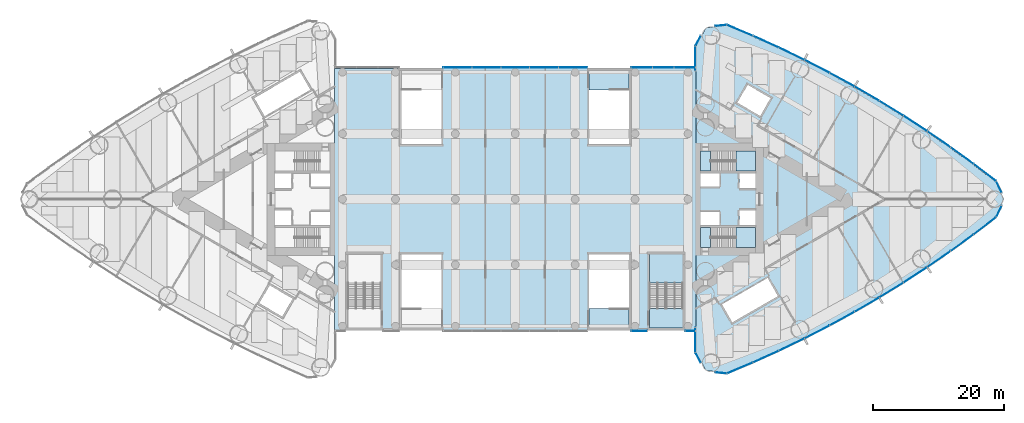
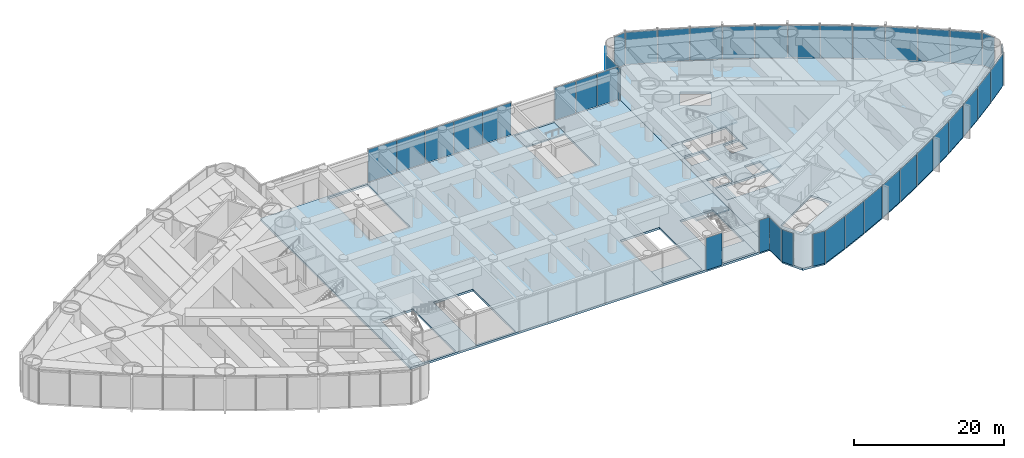
# One storey, part 13 of 20: 40 plates, 10 slabs, 11 elements without a shape of their own.
"""IFC4 building model written with IfcOpenShell, lengths in metres."""

from ifc_helpers import new_model, si_unit, direction, frame, origin, origin_2d, place, context, subcontext, project, spatial, polyline, rectangle, outline, extrude, material, layer, layer_set, type_object, element, aggregate, save


model = new_model("IFC4")

# Units and contexts
model_context = context("Model", 3, precision=1e-05, world=origin(), true_north=direction((0.0, 1.0)))
body_context = subcontext(model_context, "Body", "Model", "MODEL_VIEW")
ifc_project = project(units=[si_unit("LENGTHUNIT", "METRE"), si_unit("AREAUNIT", "SQUARE_METRE"), si_unit("VOLUMEUNIT", "CUBIC_METRE"), si_unit("PLANEANGLEUNIT", "RADIAN"), si_unit("MASSUNIT", "GRAM", prefix="KILO")], contexts=[model_context])

# Site, building, storey
site_placement = place(None, origin())
site = spatial("IfcSite", under=ifc_project, at=site_placement, CompositionType="ELEMENT")
building_placement = place(site_placement, origin())
building = spatial("IfcBuilding", under=site, at=building_placement, Name="Lancet Gate Hotel", CompositionType="ELEMENT")
storey_placement = place(building_placement, frame((0.0, 0.0, 7.199951171875)))
storey = spatial("IfcBuildingStorey", under=building, at=storey_placement, Name="L01", CompositionType="ELEMENT", Elevation=7.199951171875)

# Slabs
ifc_material_1 = material(Name="Concrete C50/60", Category="concrete")
ifc_layer_1 = layer(ifc_material_1, 0.35009765625)
ifc_layer_set_1 = layer_set([ifc_layer_1], Name="Floor slab 350")
slab_type_1 = type_object("IfcSlabType", Name="Floor slab 350", PredefinedType="FLOOR", material=ifc_layer_set_1)
slab_1_placement = place(storey_placement, frame((0.0, 0.0, -0.349853515625)))
element("IfcSlab", 1, at=slab_1_placement, inside=storey, type_object=slab_type_1, Name="T2 L01 floor slab", PredefinedType="FLOOR", context=body_context, shape_type="SweptSolid", body=[
    extrude(outline(polyline([(27.6201171875, 23.35498046875), (27.6201171875, -23.35498046875), (29.12158203125, -26.175537109375), (32.299072265625, -26.5048828125), (36.26708984375, -24.833740234375), (40.2177734375, -23.050048828125), (44.121826171875, -21.16650390625), (47.9765625, -19.18408203125), (51.77978515625, -17.104248046875), (55.528564453125, -14.92822265625), (59.220947265625, -12.657470703125), (62.854248046875, -10.29345703125), (66.42626953125, -7.837890625), (69.934814453125, -5.292236328125), (73.355712890625, -2.67431640625), (74.65576171875, 0.0), (73.355712890625, 2.67431640625), (69.934814453125, 5.292236328125), (66.42626953125, 7.837890625), (62.854248046875, 10.29345703125), (59.220947265625, 12.657470703125), (55.528564453125, 14.92822265625), (51.77978515625, 17.104248046875), (47.9765625, 19.18408203125), (44.121826171875, 21.16650390625), (40.2177734375, 23.050048828125), (36.26708984375, 24.833740234375), (32.299072265625, 26.5048828125), (29.12158203125, 26.175537109375), (27.6201171875, 23.35498046875)]), holes=[polyline([(36.699951171875, -7.39990234375), (36.699951171875, -4.300048828125), (28.300048828125, -4.300048828125), (28.300048828125, -7.39990234375), (36.699951171875, -7.39990234375)]), polyline([(28.300048828125, -4.0), (31.199951171875, -4.0), (31.199951171875, -1.89990234375), (28.300048828125, -1.89990234375), (28.300048828125, -4.0)]), polyline([(34.25, -4.0), (36.699951171875, -4.0), (36.699951171875, -1.64990234375), (34.25, -1.64990234375), (34.25, -4.0)]), polyline([(36.699951171875, 1.64990234375), (36.699951171875, 4.0), (34.25, 4.0), (34.25, 1.64990234375), (36.699951171875, 1.64990234375)]), polyline([(28.300048828125, 1.89990234375), (31.199951171875, 1.89990234375), (31.199951171875, 4.0), (28.300048828125, 4.0), (28.300048828125, 1.89990234375)]), polyline([(28.300048828125, 4.300048828125), (36.699951171875, 4.300048828125), (36.699951171875, 7.39990234375), (28.300048828125, 7.39990234375), (28.300048828125, 4.300048828125)]), polyline([(31.549072265625, -16.0810546875), (33.14892578125, -18.85205078125), (40.1640625, -14.802001953125), (38.56396484375, -12.031005859375), (31.549072265625, -16.0810546875)]), polyline([(33.887939453125, 14.73095703125), (37.43798828125, 12.680908203125), (39.0380859375, 15.451904296875), (35.488037109375, 17.501953125), (33.887939453125, 14.73095703125)])]), origin(), (0.0, 0.0, 1.0), 0.349853515625),
])
slab_2_placement = place(storey_placement, frame((0.0, 0.0, -0.349853515625)))
element("IfcSlab", 2, at=slab_2_placement, inside=storey, type_object=slab_type_1, Name="Podium L01 floor slab", PredefinedType="FLOOR", context=body_context, shape_type="SweptSolid", body=[
    extrude(outline(polyline([(27.6201171875, 20.0), (-27.6201171875, 20.0), (-27.6201171875, -20.0), (27.6201171875, -20.0), (27.6201171875, 20.0)]), holes=[polyline([(-25.60009765625, -19.699951171875), (-20.5, -19.699951171875), (-20.5, -8.3798828125), (-25.60009765625, -8.3798828125), (-25.60009765625, -19.699951171875)]), polyline([(-17.39990234375, -8.3798828125), (-17.39990234375, -19.699951171875), (-11.300048828125, -19.699951171875), (-11.300048828125, -8.3798828125), (-17.39990234375, -8.3798828125)]), polyline([(11.300048828125, -8.3798828125), (11.300048828125, -19.699951171875), (17.39990234375, -19.699951171875), (17.39990234375, -8.3798828125), (11.300048828125, -8.3798828125)]), polyline([(20.5, -19.699951171875), (25.60009765625, -19.699951171875), (25.60009765625, -8.3798828125), (20.5, -8.3798828125), (20.5, -19.699951171875)]), polyline([(-17.39990234375, 19.699951171875), (-17.39990234375, 8.3798828125), (-11.300048828125, 8.3798828125), (-11.300048828125, 19.699951171875), (-17.39990234375, 19.699951171875)]), polyline([(11.300048828125, 19.699951171875), (11.300048828125, 8.3798828125), (17.39990234375, 8.3798828125), (17.39990234375, 19.699951171875), (11.300048828125, 19.699951171875)])]), origin(), (0.0, 0.0, 1.0), 0.349853515625),
])

# Curtain wall, plates
ifc_material_2 = material(Name="Aluminium curtain wall", Category="aluminium")
curtain_wall_type = type_object("IfcCurtainWallType", Name="Podium curtain wall", PredefinedType="USERDEFINED", material=ifc_material_2)
curtain_wall_1_placement = place(storey_placement, origin())
curtain_wall_1 = element("IfcCurtainWall", 3, at=curtain_wall_1_placement, inside=storey, type_object=curtain_wall_type, Name="T2 L01 curtain wall 1", ObjectType="UNITISED CURTAIN WALL", PredefinedType="USERDEFINED")
ifc_material_3 = material(Name="Glass double glazed unit 10-16-10", Category="glass")
ifc_layer_2 = layer(ifc_material_3, 0.035888671875)
ifc_layer_set_2 = layer_set([ifc_layer_2], Name="Podium vision panel")
plate_type = type_object("IfcPlateType", Name="Podium vision panel", PredefinedType="CURTAIN_PANEL", material=ifc_layer_set_2)
plate_1_placement = place(storey_placement, frame((27.5, -21.48681640625, 0.0), z_axis=(0.0, 0.0, 1.0), x_axis=(0.0, -1.0, 0.0)))
plate_1 = element("IfcPlate", 4, at=plate_1_placement, type_object=plate_type, Name="T2 L01 curtain wall 1 panel 1", PredefinedType="CURTAIN_PANEL", context=body_context, shape_type="SweptSolid", body=[
    extrude(rectangle(XDim=3.731201171875, YDim=0.035888671875, at=origin_2d()), origin(), (0.0, 0.0, 1.0), 5.25),
])
plate_2_placement = place(storey_placement, frame((27.933349609375, -24.19873046875, 0.0), z_axis=(0.0, 0.0, 1.0), x_axis=(0.469897827284, -0.882720811987, 0.0)))
plate_2 = element("IfcPlate", 5, at=plate_2_placement, type_object=plate_type, Name="T2 L01 curtain wall 1 panel 2", PredefinedType="CURTAIN_PANEL", context=body_context, shape_type="SweptSolid", body=[
    extrude(rectangle(XDim=1.779052734375, YDim=0.035888671875, at=origin_2d()), origin(), (0.0, 0.0, 1.0), 5.25),
])
aggregate(curtain_wall_1, [plate_1, plate_2])

curtain_wall_2_placement = place(storey_placement, origin())
curtain_wall_2 = element("IfcCurtainWall", 6, at=curtain_wall_2_placement, inside=storey, type_object=curtain_wall_type, Name="T2 L01 curtain wall 2", ObjectType="UNITISED CURTAIN WALL", PredefinedType="USERDEFINED")
plate_3_placement = place(storey_placement, frame((31.400634765625, -26.532470703125, 0.0), z_axis=(0.0, 0.0, 1.0), x_axis=(0.994672262412, -0.10308778001, 0.0)))
plate_3 = element("IfcPlate", 7, at=plate_3_placement, type_object=plate_type, Name="T2 L01 curtain wall 2 panel 1", PredefinedType="CURTAIN_PANEL", context=body_context, shape_type="SweptSolid", body=[
    extrude(rectangle(XDim=1.7783203125, YDim=0.035888671875, at=origin_2d()), origin(), (0.0, 0.0, 1.0), 5.25),
])
plate_4_placement = place(storey_placement, frame((34.316162109375, -25.78564453125, 0.0), z_axis=(0.0, 0.0, 1.0), x_axis=(0.92159330598, 0.38815689917, 0.0)))
plate_4 = element("IfcPlate", 8, at=plate_4_placement, type_object=plate_type, Name="T2 L01 curtain wall 2 panel 2", PredefinedType="CURTAIN_PANEL", context=body_context, shape_type="SweptSolid", body=[
    extrude(rectangle(XDim=4.272705078125, YDim=0.035888671875, at=origin_2d()), origin(), (0.0, 0.0, 1.0), 5.25),
])
plate_5_placement = place(storey_placement, frame((38.291748046875, -24.05126953125, 0.0), z_axis=(0.0, 0.0, 1.0), x_axis=(0.911415640556, 0.41148697446, 0.0)))
plate_5 = element("IfcPlate", 9, at=plate_5_placement, type_object=plate_type, Name="T2 L01 curtain wall 2 panel 3", PredefinedType="CURTAIN_PANEL", context=body_context, shape_type="SweptSolid", body=[
    extrude(rectangle(XDim=4.272705078125, YDim=0.035888671875, at=origin_2d()), origin(), (0.0, 0.0, 1.0), 5.25),
])
plate_6_placement = place(storey_placement, frame((42.221923828125, -22.21630859375, 0.0), z_axis=(0.0, 0.0, 1.0), x_axis=(0.90064748964, 0.434550456686, 0.0)))
plate_6 = element("IfcPlate", 10, at=plate_6_placement, type_object=plate_type, Name="T2 L01 curtain wall 2 panel 4", PredefinedType="CURTAIN_PANEL", context=body_context, shape_type="SweptSolid", body=[
    extrude(rectangle(XDim=4.272705078125, YDim=0.035888671875, at=origin_2d()), origin(), (0.0, 0.0, 1.0), 5.25),
])
plate_7_placement = place(storey_placement, frame((46.10400390625, -20.281982421875, 0.0), z_axis=(0.0, 0.0, 1.0), x_axis=(0.889295829671, 0.457332403541, 0.0)))
plate_7 = element("IfcPlate", 11, at=plate_7_placement, type_object=plate_type, Name="T2 L01 curtain wall 2 panel 5", PredefinedType="CURTAIN_PANEL", context=body_context, shape_type="SweptSolid", body=[
    extrude(rectangle(XDim=4.272705078125, YDim=0.035888671875, at=origin_2d()), origin(), (0.0, 0.0, 1.0), 5.25),
])
plate_8_placement = place(storey_placement, frame((49.935791015625, -18.249267578125, 0.0), z_axis=(0.0, 0.0, 1.0), x_axis=(0.877368015134, 0.47981805512, 0.0)))
plate_8 = element("IfcPlate", 12, at=plate_8_placement, type_object=plate_type, Name="T2 L01 curtain wall 2 panel 6", PredefinedType="CURTAIN_PANEL", context=body_context, shape_type="SweptSolid", body=[
    extrude(rectangle(XDim=4.272705078125, YDim=0.035888671875, at=origin_2d()), origin(), (0.0, 0.0, 1.0), 5.25),
])
plate_9_placement = place(storey_placement, frame((53.71435546875, -16.119873046875, 0.0), z_axis=(0.0, 0.0, 1.0), x_axis=(0.864871773788, 0.501992843479, 0.0)))
plate_9 = element("IfcPlate", 13, at=plate_9_placement, type_object=plate_type, Name="T2 L01 curtain wall 2 panel 7", PredefinedType="CURTAIN_PANEL", context=body_context, shape_type="SweptSolid", body=[
    extrude(rectangle(XDim=4.272705078125, YDim=0.035888671875, at=origin_2d()), origin(), (0.0, 0.0, 1.0), 5.25),
])
plate_10_placement = place(storey_placement, frame((57.437744140625, -13.89501953125, 0.0), z_axis=(0.0, 0.0, 1.0), x_axis=(0.851815201664, 0.523842402077, 0.0)))
plate_10 = element("IfcPlate", 14, at=plate_10_placement, type_object=plate_type, Name="T2 L01 curtain wall 2 panel 8", PredefinedType="CURTAIN_PANEL", context=body_context, shape_type="SweptSolid", body=[
    extrude(rectangle(XDim=4.272705078125, YDim=0.035888671875, at=origin_2d()), origin(), (0.0, 0.0, 1.0), 5.25),
])
plate_11_placement = place(storey_placement, frame((61.10302734375, -11.576171875, 0.0), z_axis=(0.0, 0.0, 1.0), x_axis=(0.838206757819, 0.54535257508, 0.0)))
plate_11 = element("IfcPlate", 15, at=plate_11_placement, type_object=plate_type, Name="T2 L01 curtain wall 2 panel 9", PredefinedType="CURTAIN_PANEL", context=body_context, shape_type="SweptSolid", body=[
    extrude(rectangle(XDim=4.272705078125, YDim=0.035888671875, at=origin_2d()), origin(), (0.0, 0.0, 1.0), 5.25),
])
plate_12_placement = place(storey_placement, frame((64.708251953125, -9.16455078125, 0.0), z_axis=(0.0, 0.0, 1.0), x_axis=(0.824055258853, 0.566509426538, 0.0)))
plate_12 = element("IfcPlate", 16, at=plate_12_placement, type_object=plate_type, Name="T2 L01 curtain wall 2 panel 10", PredefinedType="CURTAIN_PANEL", context=body_context, shape_type="SweptSolid", body=[
    extrude(rectangle(XDim=4.272705078125, YDim=0.035888671875, at=origin_2d()), origin(), (0.0, 0.0, 1.0), 5.25),
])
plate_13_placement = place(storey_placement, frame((68.2509765625, -6.662109375, 0.0), z_axis=(0.0, 0.0, 1.0), x_axis=(0.809369873203, 0.587299249405, 0.0)))
plate_13 = element("IfcPlate", 17, at=plate_13_placement, type_object=plate_type, Name="T2 L01 curtain wall 2 panel 11", PredefinedType="CURTAIN_PANEL", context=body_context, shape_type="SweptSolid", body=[
    extrude(rectangle(XDim=4.272705078125, YDim=0.035888671875, at=origin_2d()), origin(), (0.0, 0.0, 1.0), 5.25),
])
plate_14_placement = place(storey_placement, frame((71.72900390625, -4.0703125, 0.0), z_axis=(0.0, 0.0, 1.0), x_axis=(0.794160115195, 0.607708574428, 0.0)))
plate_14 = element("IfcPlate", 18, at=plate_14_placement, type_object=plate_type, Name="T2 L01 curtain wall 2 panel 12", PredefinedType="CURTAIN_PANEL", context=body_context, shape_type="SweptSolid", body=[
    extrude(rectangle(XDim=4.272705078125, YDim=0.035888671875, at=origin_2d()), origin(), (0.0, 0.0, 1.0), 5.25),
])
plate_15_placement = place(storey_placement, frame((73.88671875, -1.856201171875, 0.0), z_axis=(0.0, 0.0, 1.0), x_axis=(0.437169070119, 0.899379343843, 0.0)))
plate_15 = element("IfcPlate", 19, at=plate_15_placement, type_object=plate_type, Name="T2 L01 curtain wall 2 panel 13", PredefinedType="CURTAIN_PANEL", context=body_context, shape_type="SweptSolid", body=[
    extrude(rectangle(XDim=1.92724609375, YDim=0.035888671875, at=origin_2d()), origin(), (0.0, 0.0, 1.0), 5.25),
])
aggregate(curtain_wall_2, [plate_3, plate_4, plate_5, plate_6, plate_7, plate_8, plate_9, plate_10, plate_11, plate_12, plate_13, plate_14, plate_15])

curtain_wall_3_placement = place(storey_placement, origin())
curtain_wall_3 = element("IfcCurtainWall", 20, at=curtain_wall_3_placement, inside=storey, type_object=curtain_wall_type, Name="T2 L01 curtain wall 3", ObjectType="UNITISED CURTAIN WALL", PredefinedType="USERDEFINED")
plate_16_placement = place(storey_placement, frame((73.88671875, 1.856201171875, 0.0), z_axis=(0.0, 0.0, 1.0), x_axis=(-0.437169070119, 0.899379343843, 0.0)))
plate_16 = element("IfcPlate", 21, at=plate_16_placement, type_object=plate_type, Name="T2 L01 curtain wall 3 panel 1", PredefinedType="CURTAIN_PANEL", context=body_context, shape_type="SweptSolid", body=[
    extrude(rectangle(XDim=1.92724609375, YDim=0.035888671875, at=origin_2d()), origin(), (0.0, 0.0, 1.0), 5.25),
])
plate_17_placement = place(storey_placement, frame((71.72900390625, 4.0703125, 0.0), z_axis=(0.0, 0.0, 1.0), x_axis=(-0.794160115195, 0.607708574428, 0.0)))
plate_17 = element("IfcPlate", 22, at=plate_17_placement, type_object=plate_type, Name="T2 L01 curtain wall 3 panel 2", PredefinedType="CURTAIN_PANEL", context=body_context, shape_type="SweptSolid", body=[
    extrude(rectangle(XDim=4.272705078125, YDim=0.035888671875, at=origin_2d()), origin(), (0.0, 0.0, 1.0), 5.25),
])
plate_18_placement = place(storey_placement, frame((68.2509765625, 6.662109375, 0.0), z_axis=(0.0, 0.0, 1.0), x_axis=(-0.809369873203, 0.587299249405, 0.0)))
plate_18 = element("IfcPlate", 23, at=plate_18_placement, type_object=plate_type, Name="T2 L01 curtain wall 3 panel 3", PredefinedType="CURTAIN_PANEL", context=body_context, shape_type="SweptSolid", body=[
    extrude(rectangle(XDim=4.272705078125, YDim=0.035888671875, at=origin_2d()), origin(), (0.0, 0.0, 1.0), 5.25),
])
plate_19_placement = place(storey_placement, frame((64.708251953125, 9.16455078125, 0.0), z_axis=(0.0, 0.0, 1.0), x_axis=(-0.824055258853, 0.566509426538, 0.0)))
plate_19 = element("IfcPlate", 24, at=plate_19_placement, type_object=plate_type, Name="T2 L01 curtain wall 3 panel 4", PredefinedType="CURTAIN_PANEL", context=body_context, shape_type="SweptSolid", body=[
    extrude(rectangle(XDim=4.272705078125, YDim=0.035888671875, at=origin_2d()), origin(), (0.0, 0.0, 1.0), 5.25),
])
plate_20_placement = place(storey_placement, frame((61.10302734375, 11.576171875, 0.0), z_axis=(0.0, 0.0, 1.0), x_axis=(-0.838206757819, 0.54535257508, 0.0)))
plate_20 = element("IfcPlate", 25, at=plate_20_placement, type_object=plate_type, Name="T2 L01 curtain wall 3 panel 5", PredefinedType="CURTAIN_PANEL", context=body_context, shape_type="SweptSolid", body=[
    extrude(rectangle(XDim=4.272705078125, YDim=0.035888671875, at=origin_2d()), origin(), (0.0, 0.0, 1.0), 5.25),
])
plate_21_placement = place(storey_placement, frame((57.437744140625, 13.89501953125, 0.0), z_axis=(0.0, 0.0, 1.0), x_axis=(-0.851815201664, 0.523842402077, 0.0)))
plate_21 = element("IfcPlate", 26, at=plate_21_placement, type_object=plate_type, Name="T2 L01 curtain wall 3 panel 6", PredefinedType="CURTAIN_PANEL", context=body_context, shape_type="SweptSolid", body=[
    extrude(rectangle(XDim=4.272705078125, YDim=0.035888671875, at=origin_2d()), origin(), (0.0, 0.0, 1.0), 5.25),
])
plate_22_placement = place(storey_placement, frame((53.71435546875, 16.119873046875, 0.0), z_axis=(0.0, 0.0, 1.0), x_axis=(-0.864871773788, 0.501992843479, 0.0)))
plate_22 = element("IfcPlate", 27, at=plate_22_placement, type_object=plate_type, Name="T2 L01 curtain wall 3 panel 7", PredefinedType="CURTAIN_PANEL", context=body_context, shape_type="SweptSolid", body=[
    extrude(rectangle(XDim=4.272705078125, YDim=0.035888671875, at=origin_2d()), origin(), (0.0, 0.0, 1.0), 5.25),
])
plate_23_placement = place(storey_placement, frame((49.935791015625, 18.249267578125, 0.0), z_axis=(0.0, 0.0, 1.0), x_axis=(-0.877368015134, 0.47981805512, 0.0)))
plate_23 = element("IfcPlate", 28, at=plate_23_placement, type_object=plate_type, Name="T2 L01 curtain wall 3 panel 8", PredefinedType="CURTAIN_PANEL", context=body_context, shape_type="SweptSolid", body=[
    extrude(rectangle(XDim=4.272705078125, YDim=0.035888671875, at=origin_2d()), origin(), (0.0, 0.0, 1.0), 5.25),
])
plate_24_placement = place(storey_placement, frame((46.10400390625, 20.281982421875, 0.0), z_axis=(0.0, 0.0, 1.0), x_axis=(-0.889295829671, 0.457332403541, 0.0)))
plate_24 = element("IfcPlate", 29, at=plate_24_placement, type_object=plate_type, Name="T2 L01 curtain wall 3 panel 9", PredefinedType="CURTAIN_PANEL", context=body_context, shape_type="SweptSolid", body=[
    extrude(rectangle(XDim=4.272705078125, YDim=0.035888671875, at=origin_2d()), origin(), (0.0, 0.0, 1.0), 5.25),
])
plate_25_placement = place(storey_placement, frame((42.221923828125, 22.21630859375, 0.0), z_axis=(0.0, 0.0, 1.0), x_axis=(-0.90064748964, 0.434550456686, 0.0)))
plate_25 = element("IfcPlate", 30, at=plate_25_placement, type_object=plate_type, Name="T2 L01 curtain wall 3 panel 10", PredefinedType="CURTAIN_PANEL", context=body_context, shape_type="SweptSolid", body=[
    extrude(rectangle(XDim=4.272705078125, YDim=0.035888671875, at=origin_2d()), origin(), (0.0, 0.0, 1.0), 5.25),
])
plate_26_placement = place(storey_placement, frame((38.291748046875, 24.05126953125, 0.0), z_axis=(0.0, 0.0, 1.0), x_axis=(-0.911415640556, 0.41148697446, 0.0)))
plate_26 = element("IfcPlate", 31, at=plate_26_placement, type_object=plate_type, Name="T2 L01 curtain wall 3 panel 11", PredefinedType="CURTAIN_PANEL", context=body_context, shape_type="SweptSolid", body=[
    extrude(rectangle(XDim=4.272705078125, YDim=0.035888671875, at=origin_2d()), origin(), (0.0, 0.0, 1.0), 5.25),
])
plate_27_placement = place(storey_placement, frame((34.316162109375, 25.78564453125, 0.0), z_axis=(0.0, 0.0, 1.0), x_axis=(-0.92159330598, 0.38815689917, 0.0)))
plate_27 = element("IfcPlate", 32, at=plate_27_placement, type_object=plate_type, Name="T2 L01 curtain wall 3 panel 12", PredefinedType="CURTAIN_PANEL", context=body_context, shape_type="SweptSolid", body=[
    extrude(rectangle(XDim=4.272705078125, YDim=0.035888671875, at=origin_2d()), origin(), (0.0, 0.0, 1.0), 5.25),
])
plate_28_placement = place(storey_placement, frame((31.400634765625, 26.532470703125, 0.0), z_axis=(0.0, 0.0, 1.0), x_axis=(-0.994672262412, -0.10308778001, 0.0)))
plate_28 = element("IfcPlate", 33, at=plate_28_placement, type_object=plate_type, Name="T2 L01 curtain wall 3 panel 13", PredefinedType="CURTAIN_PANEL", context=body_context, shape_type="SweptSolid", body=[
    extrude(rectangle(XDim=1.7783203125, YDim=0.035888671875, at=origin_2d()), origin(), (0.0, 0.0, 1.0), 5.25),
])
aggregate(curtain_wall_3, [plate_16, plate_17, plate_18, plate_19, plate_20, plate_21, plate_22, plate_23, plate_24, plate_25, plate_26, plate_27, plate_28])

curtain_wall_4_placement = place(storey_placement, origin())
curtain_wall_4 = element("IfcCurtainWall", 34, at=curtain_wall_4_placement, inside=storey, type_object=curtain_wall_type, Name="T2 L01 curtain wall 4", ObjectType="UNITISED CURTAIN WALL", PredefinedType="USERDEFINED")
plate_29_placement = place(storey_placement, frame((27.933349609375, 24.19873046875, 0.0), z_axis=(0.0, 0.0, 1.0), x_axis=(-0.469897827284, -0.882720811987, 0.0)))
plate_29 = element("IfcPlate", 35, at=plate_29_placement, type_object=plate_type, Name="T2 L01 curtain wall 4 panel 1", PredefinedType="CURTAIN_PANEL", context=body_context, shape_type="SweptSolid", body=[
    extrude(rectangle(XDim=1.779052734375, YDim=0.035888671875, at=origin_2d()), origin(), (0.0, 0.0, 1.0), 5.25),
])
plate_30_placement = place(storey_placement, frame((27.5, 21.48681640625, 0.0), z_axis=(0.0, 0.0, 1.0), x_axis=(0.0, -1.0, 0.0)))
plate_30 = element("IfcPlate", 36, at=plate_30_placement, type_object=plate_type, Name="T2 L01 curtain wall 4 panel 2", PredefinedType="CURTAIN_PANEL", context=body_context, shape_type="SweptSolid", body=[
    extrude(rectangle(XDim=3.731201171875, YDim=0.035888671875, at=origin_2d()), origin(), (0.0, 0.0, 1.0), 5.25),
])
aggregate(curtain_wall_4, [plate_29, plate_30])

# Curtain wall, plate
curtain_wall_5_placement = place(storey_placement, origin())
curtain_wall_5 = element("IfcCurtainWall", 37, at=curtain_wall_5_placement, inside=storey, type_object=curtain_wall_type, Name="Podium L01 curtain wall S4", ObjectType="UNITISED CURTAIN WALL", PredefinedType="USERDEFINED")
plate_31_placement = place(storey_placement, frame((18.949951171875, -20.1201171875, 0.0), z_axis=(0.0, 0.0, 1.0), x_axis=(1.0, 0.0, 0.0)))
plate_31 = element("IfcPlate", 38, at=plate_31_placement, type_object=plate_type, Name="Podium L01 curtain wall S4 panel 1", PredefinedType="CURTAIN_PANEL", context=body_context, shape_type="SweptSolid", body=[
    extrude(rectangle(XDim=2.43505859375, YDim=0.035888671875, at=origin_2d()), origin(), (0.0, 0.0, 1.0), 5.25),
])
aggregate(curtain_wall_5, [plate_31])

curtain_wall_6_placement = place(storey_placement, origin())
curtain_wall_6 = element("IfcCurtainWall", 39, at=curtain_wall_6_placement, inside=storey, type_object=curtain_wall_type, Name="Podium L01 curtain wall S5", ObjectType="UNITISED CURTAIN WALL", PredefinedType="USERDEFINED")
plate_32_placement = place(storey_placement, frame((26.699951171875, -20.1201171875, 0.0), z_axis=(0.0, 0.0, 1.0), x_axis=(1.0, 0.0, 0.0)))
plate_32 = element("IfcPlate", 40, at=plate_32_placement, type_object=plate_type, Name="Podium L01 curtain wall S5 panel 1", PredefinedType="CURTAIN_PANEL", context=body_context, shape_type="SweptSolid", body=[
    extrude(rectangle(XDim=1.534912109375, YDim=0.035888671875, at=origin_2d()), origin(), (0.0, 0.0, 1.0), 5.25),
])
aggregate(curtain_wall_6, [plate_32])

# Curtain wall, plates
curtain_wall_7_placement = place(storey_placement, origin())
curtain_wall_7 = element("IfcCurtainWall", 41, at=curtain_wall_7_placement, inside=storey, type_object=curtain_wall_type, Name="Podium L01 curtain wall N2", ObjectType="UNITISED CURTAIN WALL", PredefinedType="USERDEFINED")
plate_33_placement = place(storey_placement, frame((8.800048828125, 20.1201171875, 0.0), z_axis=(0.0, 0.0, 1.0), x_axis=(-1.0, 0.0, 0.0)))
plate_33 = element("IfcPlate", 42, at=plate_33_placement, type_object=plate_type, Name="Podium L01 curtain wall N2 panel 1", PredefinedType="CURTAIN_PANEL", context=body_context, shape_type="SweptSolid", body=[
    extrude(rectangle(XDim=4.3349609375, YDim=0.035888671875, at=origin_2d()), origin(), (0.0, 0.0, 1.0), 5.25),
])
plate_34_placement = place(storey_placement, frame((4.39990234375, 20.1201171875, 0.0), z_axis=(0.0, 0.0, 1.0), x_axis=(-1.0, 0.0, 0.0)))
plate_34 = element("IfcPlate", 43, at=plate_34_placement, type_object=plate_type, Name="Podium L01 curtain wall N2 panel 2", PredefinedType="CURTAIN_PANEL", context=body_context, shape_type="SweptSolid", body=[
    extrude(rectangle(XDim=4.3349609375, YDim=0.035888671875, at=origin_2d()), origin(), (0.0, 0.0, 1.0), 5.25),
])
plate_35_placement = place(storey_placement, frame((0.0, 20.1201171875, 0.0), z_axis=(0.0, 0.0, 1.0), x_axis=(-1.0, 0.0, 0.0)))
plate_35 = element("IfcPlate", 44, at=plate_35_placement, type_object=plate_type, Name="Podium L01 curtain wall N2 panel 3", PredefinedType="CURTAIN_PANEL", context=body_context, shape_type="SweptSolid", body=[
    extrude(rectangle(XDim=4.3349609375, YDim=0.035888671875, at=origin_2d()), origin(), (0.0, 0.0, 1.0), 5.25),
])
plate_36_placement = place(storey_placement, frame((-4.39990234375, 20.1201171875, 0.0), z_axis=(0.0, 0.0, 1.0), x_axis=(-1.0, 0.0, 0.0)))
plate_36 = element("IfcPlate", 45, at=plate_36_placement, type_object=plate_type, Name="Podium L01 curtain wall N2 panel 4", PredefinedType="CURTAIN_PANEL", context=body_context, shape_type="SweptSolid", body=[
    extrude(rectangle(XDim=4.3349609375, YDim=0.035888671875, at=origin_2d()), origin(), (0.0, 0.0, 1.0), 5.25),
])
plate_37_placement = place(storey_placement, frame((-8.800048828125, 20.1201171875, 0.0), z_axis=(0.0, 0.0, 1.0), x_axis=(-1.0, 0.0, 0.0)))
plate_37 = element("IfcPlate", 46, at=plate_37_placement, type_object=plate_type, Name="Podium L01 curtain wall N2 panel 5", PredefinedType="CURTAIN_PANEL", context=body_context, shape_type="SweptSolid", body=[
    extrude(rectangle(XDim=4.3349609375, YDim=0.035888671875, at=origin_2d()), origin(), (0.0, 0.0, 1.0), 5.25),
])
aggregate(curtain_wall_7, [plate_33, plate_34, plate_35, plate_36, plate_37])

curtain_wall_8_placement = place(storey_placement, origin())
curtain_wall_8 = element("IfcCurtainWall", 47, at=curtain_wall_8_placement, inside=storey, type_object=curtain_wall_type, Name="Podium L01 curtain wall N3", ObjectType="UNITISED CURTAIN WALL", PredefinedType="USERDEFINED")
plate_38_placement = place(storey_placement, frame((25.86669921875, 20.1201171875, 0.0), z_axis=(0.0, 0.0, 1.0), x_axis=(-1.0, 0.0, 0.0)))
plate_38 = element("IfcPlate", 48, at=plate_38_placement, type_object=plate_type, Name="Podium L01 curtain wall N3 panel 1", PredefinedType="CURTAIN_PANEL", context=body_context, shape_type="SweptSolid", body=[
    extrude(rectangle(XDim=3.20166015625, YDim=0.035888671875, at=origin_2d()), origin(), (0.0, 0.0, 1.0), 5.25),
])
plate_39_placement = place(storey_placement, frame((22.60009765625, 20.1201171875, 0.0), z_axis=(0.0, 0.0, 1.0), x_axis=(-1.0, 0.0, 0.0)))
plate_39 = element("IfcPlate", 49, at=plate_39_placement, type_object=plate_type, Name="Podium L01 curtain wall N3 panel 2", PredefinedType="CURTAIN_PANEL", context=body_context, shape_type="SweptSolid", body=[
    extrude(rectangle(XDim=3.20166015625, YDim=0.035888671875, at=origin_2d()), origin(), (0.0, 0.0, 1.0), 5.25),
])
plate_40_placement = place(storey_placement, frame((19.333251953125, 20.1201171875, 0.0), z_axis=(0.0, 0.0, 1.0), x_axis=(-1.0, 0.0, 0.0)))
plate_40 = element("IfcPlate", 50, at=plate_40_placement, type_object=plate_type, Name="Podium L01 curtain wall N3 panel 3", PredefinedType="CURTAIN_PANEL", context=body_context, shape_type="SweptSolid", body=[
    extrude(rectangle(XDim=3.20166015625, YDim=0.035888671875, at=origin_2d()), origin(), (0.0, 0.0, 1.0), 5.25),
])
aggregate(curtain_wall_8, [plate_38, plate_39, plate_40])

# Stair, slabs
ifc_material_4 = material(Name="Exit stair 30 risers 1500")
stair_type_1 = type_object("IfcStairType", Name="Exit stair 30 risers 1500", PredefinedType="HALF_TURN_STAIR", material=ifc_material_4)
stair_1_placement = place(storey_placement, origin())
stair_1 = element("IfcStair", 51, at=stair_1_placement, inside=storey, type_object=stair_type_1, Name="T2 stair 1 L01", PredefinedType="HALF_TURN_STAIR")
ifc_material_5 = material(Name="Concrete C40/50", Category="concrete")
ifc_layer_3 = layer(ifc_material_5, 0.199951171875)
ifc_layer_set_3 = layer_set([ifc_layer_3], Name="Stair landing 200")
slab_type_2 = type_object("IfcSlabType", Name="Stair landing 200", PredefinedType="LANDING", material=ifc_layer_set_3)
slab_3_placement = place(storey_placement, frame((0.0, 0.0, -0.199951171875)))
slab_3 = element("IfcSlab", 52, at=slab_3_placement, type_object=slab_type_2, Name="ST3 landing 1", PredefinedType="LANDING", context=body_context, shape_type="SweptSolid", body=[
    extrude(outline(polyline([(28.300048828125, -7.39990234375), (29.800048828125, -7.39990234375), (29.800048828125, -4.300048828125), (28.300048828125, -4.300048828125), (28.300048828125, -7.39990234375)])), origin(), (0.0, 0.0, 1.0), 0.199951171875),
])
slab_4_placement = place(storey_placement, frame((0.0, 0.0, 2.5)))
slab_4 = element("IfcSlab", 53, at=slab_4_placement, type_object=slab_type_2, Name="ST3 landing 2", PredefinedType="LANDING", context=body_context, shape_type="SweptSolid", body=[
    extrude(outline(polyline([(33.719970703125, -7.39990234375), (36.699951171875, -7.39990234375), (36.699951171875, -4.300048828125), (33.719970703125, -4.300048828125), (33.719970703125, -7.39990234375)])), origin(), (0.0, 0.0, 1.0), 0.199951171875),
])
aggregate(stair_1, [slab_3, slab_4])

stair_2_placement = place(storey_placement, origin())
stair_2 = element("IfcStair", 54, at=stair_2_placement, inside=storey, type_object=stair_type_1, Name="T2 stair 2 L01", PredefinedType="HALF_TURN_STAIR")
slab_5_placement = place(storey_placement, frame((0.0, 0.0, -0.199951171875)))
slab_5 = element("IfcSlab", 55, at=slab_5_placement, type_object=slab_type_2, Name="ST4 landing 1", PredefinedType="LANDING", context=body_context, shape_type="SweptSolid", body=[
    extrude(outline(polyline([(28.300048828125, 4.300048828125), (29.800048828125, 4.300048828125), (29.800048828125, 7.39990234375), (28.300048828125, 7.39990234375), (28.300048828125, 4.300048828125)])), origin(), (0.0, 0.0, 1.0), 0.199951171875),
])
slab_6_placement = place(storey_placement, frame((0.0, 0.0, 2.5)))
slab_6 = element("IfcSlab", 56, at=slab_6_placement, type_object=slab_type_2, Name="ST4 landing 2", PredefinedType="LANDING", context=body_context, shape_type="SweptSolid", body=[
    extrude(outline(polyline([(33.719970703125, 4.300048828125), (36.699951171875, 4.300048828125), (36.699951171875, 7.39990234375), (33.719970703125, 7.39990234375), (33.719970703125, 4.300048828125)])), origin(), (0.0, 0.0, 1.0), 0.199951171875),
])
aggregate(stair_2, [slab_5, slab_6])

# Slabs
slab_7_placement = place(storey_placement, frame((0.0, 0.0, -0.199951171875)))
element("IfcSlab", 57, at=slab_7_placement, inside=storey, type_object=slab_type_2, Name="PS1 top landing L01", PredefinedType="LANDING", context=body_context, shape_type="SweptSolid", body=[
    extrude(outline(polyline([(11.300048828125, -19.699951171875), (17.39990234375, -19.699951171875), (17.39990234375, -16.699951171875), (11.300048828125, -16.699951171875), (11.300048828125, -19.699951171875)])), origin(), (0.0, 0.0, 1.0), 0.199951171875),
])
slab_8_placement = place(storey_placement, frame((0.0, 0.0, -0.199951171875)))
element("IfcSlab", 58, at=slab_8_placement, inside=storey, type_object=slab_type_2, Name="PS2 top landing L01", PredefinedType="LANDING", context=body_context, shape_type="SweptSolid", body=[
    extrude(outline(polyline([(11.300048828125, 16.699951171875), (17.39990234375, 16.699951171875), (17.39990234375, 19.699951171875), (11.300048828125, 19.699951171875), (11.300048828125, 16.699951171875)])), origin(), (0.0, 0.0, 1.0), 0.199951171875),
])

# Stair, slabs
ifc_material_6 = material(Name="Podium stair 30 risers 2500")
stair_type_2 = type_object("IfcStairType", Name="Podium stair 30 risers 2500", PredefinedType="HALF_TURN_STAIR", material=ifc_material_6)
stair_3_placement = place(storey_placement, origin())
stair_3 = element("IfcStair", 59, at=stair_3_placement, inside=storey, type_object=stair_type_2, Name="Podium stair PS5 L01", PredefinedType="HALF_TURN_STAIR")
slab_9_placement = place(storey_placement, frame((0.0, 0.0, -0.199951171875)))
slab_9 = element("IfcSlab", 60, at=slab_9_placement, type_object=slab_type_2, Name="PS5 landing 1", PredefinedType="LANDING", context=body_context, shape_type="SweptSolid", body=[
    extrude(outline(polyline([(20.5, -19.699951171875), (25.60009765625, -19.699951171875), (25.60009765625, -16.699951171875), (20.5, -16.699951171875), (20.5, -19.699951171875)])), origin(), (0.0, 0.0, 1.0), 0.199951171875),
])
slab_10_placement = place(storey_placement, frame((0.0, 0.0, 2.5)))
slab_10 = element("IfcSlab", 61, at=slab_10_placement, type_object=slab_type_2, Name="PS5 landing 2", PredefinedType="LANDING", context=body_context, shape_type="SweptSolid", body=[
    extrude(outline(polyline([(20.5, -12.780029296875), (25.60009765625, -12.780029296875), (25.60009765625, -8.3798828125), (20.5, -8.3798828125), (20.5, -12.780029296875)])), origin(), (0.0, 0.0, 1.0), 0.199951171875),
])
aggregate(stair_3, [slab_9, slab_10])

save(model, "model.ifc")
